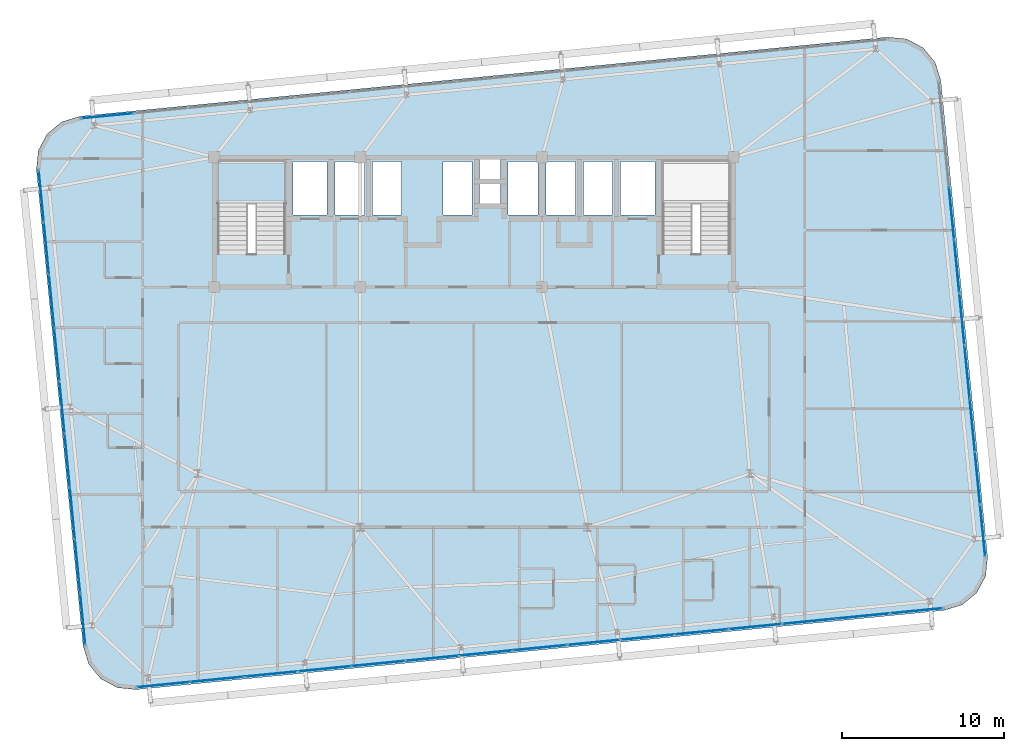
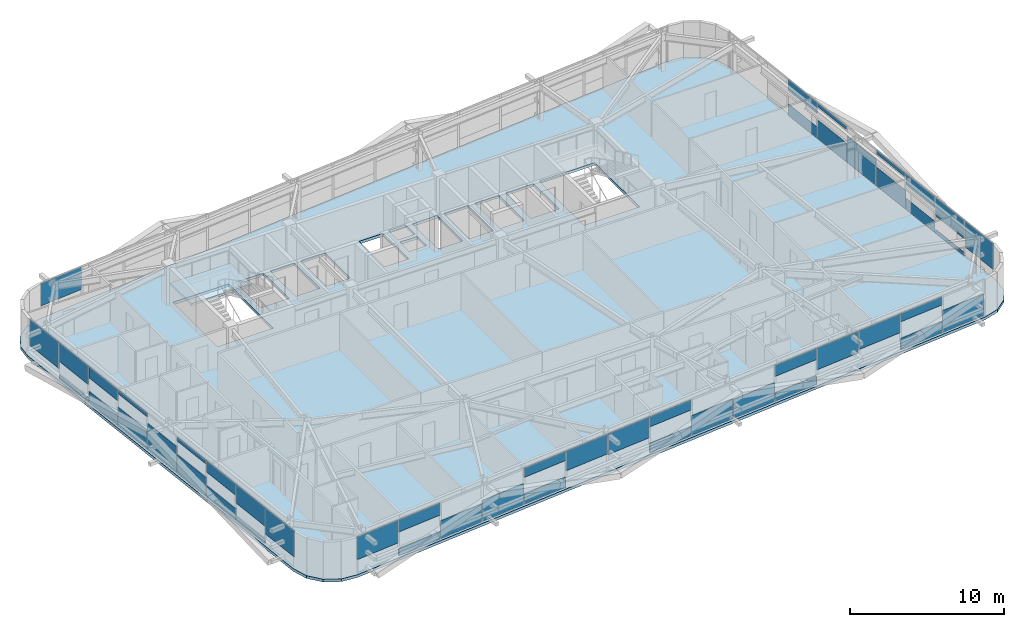
# One storey, part 36 of 53: 48 plates, 2 slabs, 5 elements without a shape of their own.
"""IFC4 building model written with IfcOpenShell, lengths in metres."""

from ifc_helpers import new_model, si_unit, direction, frame, origin, origin_2d, place, context, subcontext, project, spatial, polyline, rectangle, outline, extrude, source, transform, mapped, material, layer, layer_set, type_object, element, aggregate, save


model = new_model("IFC4")

# Units and contexts
model_context = context("Model", 3, precision=1e-05, world=origin(), true_north=direction((0.0, 1.0)))
body_context = subcontext(model_context, "Body", "Model", "MODEL_VIEW")
ifc_project = project(units=[si_unit("LENGTHUNIT", "METRE"), si_unit("AREAUNIT", "SQUARE_METRE"), si_unit("VOLUMEUNIT", "CUBIC_METRE"), si_unit("PLANEANGLEUNIT", "RADIAN"), si_unit("MASSUNIT", "GRAM", prefix="KILO")], contexts=[model_context])

# Site, building, storey
site_placement = place(None, origin())
site = spatial("IfcSite", under=ifc_project, at=site_placement, CompositionType="ELEMENT")
building_placement = place(site_placement, origin())
building = spatial("IfcBuilding", under=site, at=building_placement, Name="Taldren Reach Tower", CompositionType="ELEMENT")
storey_placement = place(building_placement, frame((0.0, 0.0, 68.25)))
storey = spatial("IfcBuildingStorey", under=building, at=storey_placement, Name="L20", CompositionType="ELEMENT", Elevation=68.25)

# Slab
ifc_material_1 = material(Name="Concrete N40 (40 MPa)", Category="concrete")
ifc_layer_1 = layer(ifc_material_1, 0.219970703125)
ifc_layer_set_1 = layer_set([ifc_layer_1], Name="Concrete N40 (40 MPa)")
slab_type_1 = type_object("IfcSlabType", Name="SL-FLR-220", PredefinedType="FLOOR", material=ifc_layer_set_1)
slab_1_placement = place(storey_placement, frame((0.0, 0.0, -0.219970703125)))
element("IfcSlab", 1, at=slab_1_placement, inside=storey, type_object=slab_type_1, Name="Suspended floor slab L20", PredefinedType="FLOOR", context=body_context, shape_type="SweptSolid", body=[
    extrude(outline(polyline([(63.962890625, 4.07421875), (65.0830078125, 4.41357421875), (65.98828125, 5.15576171875), (66.54052734375, 6.187744140625), (66.65576171875, 7.352783203125), (63.777099609375, 36.7119140625), (63.437744140625, 37.832275390625), (62.695556640625, 38.7373046875), (61.663330078125, 39.28955078125), (60.49853515625, 39.40478515625), (10.7373046875, 34.525634765625), (9.616943359375, 34.1865234375), (8.711669921875, 33.4443359375), (8.159423828125, 32.412109375), (8.044189453125, 31.247314453125), (10.923095703125, 1.88818359375), (11.26220703125, 0.767822265625), (12.00439453125, -0.137451171875), (13.03662109375, -0.689697265625), (14.201416015625, -0.804931640625), (63.962890625, 4.07421875)]), holes=[polyline([(19.219970703125, 26.050048828125), (23.3798828125, 26.050048828125), (23.3798828125, 31.820068359375), (19.219970703125, 31.820068359375), (19.219970703125, 26.050048828125)]), polyline([(46.6201171875, 26.050048828125), (50.780029296875, 26.050048828125), (50.780029296875, 31.820068359375), (46.6201171875, 31.820068359375), (46.6201171875, 26.050048828125)]), polyline([(23.85009765625, 28.449951171875), (25.949951171875, 28.449951171875), (25.949951171875, 31.75), (23.85009765625, 31.75), (23.85009765625, 28.449951171875)]), polyline([(44.050048828125, 28.449951171875), (46.14990234375, 28.449951171875), (46.14990234375, 31.75), (44.050048828125, 31.75), (44.050048828125, 28.449951171875)]), polyline([(26.449951171875, 28.449951171875), (28.25, 28.449951171875), (28.25, 31.75), (26.449951171875, 31.75), (26.449951171875, 28.449951171875)]), polyline([(28.75, 28.449951171875), (30.550048828125, 28.449951171875), (30.550048828125, 31.75), (28.75, 31.75), (28.75, 28.449951171875)]), polyline([(33.10009765625, 28.449951171875), (34.89990234375, 28.449951171875), (34.89990234375, 31.75), (33.10009765625, 31.75), (33.10009765625, 28.449951171875)]), polyline([(37.10009765625, 28.449951171875), (38.949951171875, 28.449951171875), (38.949951171875, 31.75), (37.10009765625, 31.75), (37.10009765625, 28.449951171875)]), polyline([(39.449951171875, 28.449951171875), (41.25, 28.449951171875), (41.25, 31.75), (39.449951171875, 31.75), (39.449951171875, 28.449951171875)]), polyline([(41.75, 28.449951171875), (43.550048828125, 28.449951171875), (43.550048828125, 31.75), (41.75, 31.75), (41.75, 28.449951171875)]), polyline([(35.35009765625, 30.64990234375), (36.64990234375, 30.64990234375), (36.64990234375, 31.85009765625), (35.35009765625, 31.85009765625), (35.35009765625, 30.64990234375)]), polyline([(35.35009765625, 29.14990234375), (36.64990234375, 29.14990234375), (36.64990234375, 30.35009765625), (35.35009765625, 30.35009765625), (35.35009765625, 29.14990234375)])]), origin(), (0.0, 0.0, 1.0), 0.219970703125),
])

# Stair, slab
ifc_material_2 = material(Name="Concrete S50 (50 MPa)", Category="concrete")
stair_type = type_object("IfcStairType", Name="ST-HT-315", PredefinedType="HALF_TURN_STAIR", material=ifc_material_2)
stair_placement = place(storey_placement, origin())
stair = element("IfcStair", 2, at=stair_placement, inside=storey, type_object=stair_type, Name="Fire-isolated exit stair ST1 L20", PredefinedType="HALF_TURN_STAIR")
ifc_layer_2 = layer(ifc_material_2, 0.179931640625)
ifc_layer_set_2 = layer_set([ifc_layer_2], Name="Concrete S50 (50 MPa)")
slab_type_2 = type_object("IfcSlabType", Name="SL-LAND-180", PredefinedType="LANDING", material=ifc_layer_set_2)
slab_2_placement = place(storey_placement, frame((0.0, 0.0, 1.39501953125)))
slab_2 = element("IfcSlab", 3, at=slab_2_placement, type_object=slab_type_2, Name="ST1 landing 1", PredefinedType="LANDING", context=body_context, shape_type="SweptSolid", body=[
    extrude(outline(polyline([(19.0400390625, 29.135009765625), (23.56005859375, 29.135009765625), (23.56005859375, 31.8701171875), (19.0400390625, 31.8701171875), (19.0400390625, 29.135009765625)])), origin(), (0.0, 0.0, 1.0), 0.179931640625),
])
aggregate(stair, [slab_2])

# Curtain wall, plates
ifc_material_3 = material(Name="Aluminium and Low-E Glass Unitised System", Category="aluminium")
ifc_layer_3 = layer(ifc_material_3, 0.159912109375)
ifc_layer_set_3 = layer_set([ifc_layer_3], Name="Aluminium and Low-E Glass Unitised System")
curtain_wall_type = type_object("IfcCurtainWallType", Name="CW-SYS-3", PredefinedType="NOTDEFINED", material=ifc_layer_set_3)
curtain_wall_1_placement = place(storey_placement, origin())
curtain_wall_1 = element("IfcCurtainWall", 4, at=curtain_wall_1_placement, inside=storey, type_object=curtain_wall_type, Name="Unitised curtain wall CW-L20-S", PredefinedType="NOTDEFINED")
ifc_material_4 = material(Name="Solar-Control Double Glazed IGU", Category="glass")
ifc_layer_4 = layer(ifc_material_4, 0.031982421875)
ifc_layer_set_4 = layer_set([ifc_layer_4], Name="Solar-Control Double Glazed IGU")
plate_type = type_object("IfcPlateType", Name="CW-PNL-IGU32", PredefinedType="CURTAIN_PANEL", material=ifc_layer_set_4)
shared_shape_1 = source(origin(), body_context, "Body", "SweptSolid", [
    extrude(rectangle(XDim=3.23583984375, YDim=0.031982421875, at=origin_2d()), origin(), (0.0, 0.0, 1.0), 1.72509765625),
])
plate_1_placement = place(storey_placement, frame((62.274169921875, 4.04931640625, 0.054931640625), z_axis=(0.0, 0.0, 1.0), x_axis=(0.995227390247, 0.097582999046, 0.0)))
plate_1 = element("IfcPlate", 5, at=plate_1_placement, type_object=plate_type, Name="CW-3 panel 15.1 part 1", PredefinedType="CURTAIN_PANEL", context=body_context, shape_type="MappedRepresentation", body=[
    mapped(shared_shape_1, transform((0.0, 0.0, 0.0), scale=1.0)),
])
shared_shape_2 = source(origin(), body_context, "Body", "SweptSolid", [
    extrude(rectangle(XDim=3.268310546875, YDim=0.031982421875, at=origin_2d()), origin(), (0.0, 0.0, 1.0), 0.88818359375),
])
plate_2_placement = place(storey_placement, frame((58.972900390625, 3.7255859375, 0.05517578125), z_axis=(0.0, 0.0, 1.0), x_axis=(0.995227390247, 0.097582999046, 0.0)))
plate_2 = element("IfcPlate", 6, at=plate_2_placement, type_object=plate_type, Name="CW-3 panel 14.1 part 1", PredefinedType="CURTAIN_PANEL", context=body_context, shape_type="MappedRepresentation", body=[
    mapped(shared_shape_2, transform((0.0, 0.0, 0.0), scale=1.0)),
])
shared_shape_3 = source(origin(), body_context, "Body", "SweptSolid", [
    extrude(rectangle(XDim=3.268310546875, YDim=0.031982421875, at=origin_2d()), origin(), (0.0, 0.0, 1.0), 0.626953125),
])
plate_3_placement = place(storey_placement, frame((58.972900390625, 3.7255859375, 2.248046875), z_axis=(0.0, 0.0, 1.0), x_axis=(0.995227390247, 0.097582999046, 0.0)))
plate_3 = element("IfcPlate", 7, at=plate_3_placement, type_object=plate_type, Name="CW-3 panel 14.1 part 2", PredefinedType="CURTAIN_PANEL", context=body_context, shape_type="MappedRepresentation", body=[
    mapped(shared_shape_3, transform((0.0, 0.0, 0.0), scale=1.0)),
])
shared_shape_4 = source(origin(), body_context, "Body", "SweptSolid", [
    extrude(rectangle(XDim=3.268310546875, YDim=0.031982421875, at=origin_2d()), origin(), (0.0, 0.0, 1.0), 1.4638671875),
])
plate_4_placement = place(storey_placement, frame((55.655517578125, 3.400390625, 1.4111328125), z_axis=(0.0, 0.0, 1.0), x_axis=(0.995227390247, 0.097582999046, 0.0)))
plate_4 = element("IfcPlate", 8, at=plate_4_placement, type_object=plate_type, Name="CW-3 panel 13.1 part 1", PredefinedType="CURTAIN_PANEL", context=body_context, shape_type="MappedRepresentation", body=[
    mapped(shared_shape_4, transform((0.0, 0.0, 0.0), scale=1.0)),
])
shared_shape_5 = source(origin(), body_context, "Body", "SweptSolid", [
    extrude(rectangle(XDim=3.268310546875, YDim=0.031982421875, at=origin_2d()), origin(), (0.0, 0.0, 1.0), 1.704833984375),
])
plate_5_placement = place(storey_placement, frame((52.338134765625, 3.0751953125, 1.17041015625), z_axis=(0.0, 0.0, 1.0), x_axis=(0.995227390247, 0.097582999046, 0.0)))
plate_5 = element("IfcPlate", 9, at=plate_5_placement, type_object=plate_type, Name="CW-3 panel 12.1 part 1", PredefinedType="CURTAIN_PANEL", context=body_context, shape_type="MappedRepresentation", body=[
    mapped(shared_shape_5, transform((0.0, 0.0, 0.0), scale=1.0)),
])
shared_shape_6 = source(origin(), body_context, "Body", "SweptSolid", [
    extrude(rectangle(XDim=3.268310546875, YDim=0.031982421875, at=origin_2d()), origin(), (0.0, 0.0, 1.0), 0.647216796875),
])
plate_6_placement = place(storey_placement, frame((49.020751953125, 2.749755859375, 0.05517578125), z_axis=(0.0, 0.0, 1.0), x_axis=(0.995227390247, 0.097582999046, 0.0)))
plate_6 = element("IfcPlate", 10, at=plate_6_placement, type_object=plate_type, Name="CW-3 panel 11.1 part 1", PredefinedType="CURTAIN_PANEL", context=body_context, shape_type="MappedRepresentation", body=[
    mapped(shared_shape_6, transform((0.0, 0.0, 0.0), scale=1.0)),
])
shared_shape_7 = source(origin(), body_context, "Body", "SweptSolid", [
    extrude(rectangle(XDim=3.268310546875, YDim=0.031982421875, at=origin_2d()), origin(), (0.0, 0.0, 1.0), 0.867919921875),
])
plate_7_placement = place(storey_placement, frame((49.020751953125, 2.749755859375, 2.0068359375), z_axis=(0.0, 0.0, 1.0), x_axis=(0.995227390247, 0.097582999046, 0.0)))
plate_7 = element("IfcPlate", 11, at=plate_7_placement, type_object=plate_type, Name="CW-3 panel 11.1 part 2", PredefinedType="CURTAIN_PANEL", context=body_context, shape_type="MappedRepresentation", body=[
    mapped(shared_shape_7, transform((0.0, 0.0, 0.0), scale=1.0)),
])
shared_shape_8 = source(origin(), body_context, "Body", "SweptSolid", [
    extrude(rectangle(XDim=3.268310546875, YDim=0.031982421875, at=origin_2d()), origin(), (0.0, 0.0, 1.0), 1.484130859375),
])
plate_8_placement = place(storey_placement, frame((45.703369140625, 2.424560546875, 0.05517578125), z_axis=(0.0, 0.0, 1.0), x_axis=(0.995227390247, 0.097582999046, 0.0)))
plate_8 = element("IfcPlate", 12, at=plate_8_placement, type_object=plate_type, Name="CW-3 panel 10.1 part 1", PredefinedType="CURTAIN_PANEL", context=body_context, shape_type="MappedRepresentation", body=[
    mapped(shared_shape_8, transform((0.0, 0.0, 0.0), scale=1.0)),
])
shared_shape_9 = source(origin(), body_context, "Body", "SweptSolid", [
    extrude(rectangle(XDim=3.268310546875, YDim=0.031982421875, at=origin_2d()), origin(), (0.0, 0.0, 1.0), 1.564453125),
])
plate_9_placement = place(storey_placement, frame((42.3857421875, 2.099365234375, 0.054931640625), z_axis=(0.0, 0.0, 1.0), x_axis=(0.995227390247, 0.097582999046, 0.0)))
plate_9 = element("IfcPlate", 13, at=plate_9_placement, type_object=plate_type, Name="CW-3 panel 9.1 part 1", PredefinedType="CURTAIN_PANEL", context=body_context, shape_type="MappedRepresentation", body=[
    mapped(shared_shape_9, transform((0.0, 0.0, 0.0), scale=1.0)),
])
shared_shape_10 = source(origin(), body_context, "Body", "SweptSolid", [
    extrude(rectangle(XDim=3.268310546875, YDim=0.031982421875, at=origin_2d()), origin(), (0.0, 0.0, 1.0), 0.7275390625),
])
plate_10_placement = place(storey_placement, frame((39.068359375, 1.77392578125, 0.054931640625), z_axis=(0.0, 0.0, 1.0), x_axis=(0.995227390247, 0.097582999046, 0.0)))
plate_10 = element("IfcPlate", 14, at=plate_10_placement, type_object=plate_type, Name="CW-3 panel 8.1 part 1", PredefinedType="CURTAIN_PANEL", context=body_context, shape_type="MappedRepresentation", body=[
    mapped(shared_shape_10, transform((0.0, 0.0, 0.0), scale=1.0)),
])
shared_shape_11 = source(origin(), body_context, "Body", "SweptSolid", [
    extrude(rectangle(XDim=3.268310546875, YDim=0.031982421875, at=origin_2d()), origin(), (0.0, 0.0, 1.0), 0.78759765625),
])
plate_11_placement = place(storey_placement, frame((39.068359375, 1.77392578125, 2.08740234375), z_axis=(0.0, 0.0, 1.0), x_axis=(0.995227390247, 0.097582999046, 0.0)))
plate_11 = element("IfcPlate", 15, at=plate_11_placement, type_object=plate_type, Name="CW-3 panel 8.1 part 2", PredefinedType="CURTAIN_PANEL", context=body_context, shape_type="MappedRepresentation", body=[
    mapped(shared_shape_11, transform((0.0, 0.0, 0.0), scale=1.0)),
])
shared_shape_12 = source(origin(), body_context, "Body", "SweptSolid", [
    extrude(rectangle(XDim=3.268310546875, YDim=0.031982421875, at=origin_2d()), origin(), (0.0, 0.0, 1.0), 1.62451171875),
])
plate_12_placement = place(storey_placement, frame((35.7509765625, 1.44873046875, 1.25048828125), z_axis=(0.0, 0.0, 1.0), x_axis=(0.995227390247, 0.097582999046, 0.0)))
plate_12 = element("IfcPlate", 16, at=plate_12_placement, type_object=plate_type, Name="CW-3 panel 7.1 part 1", PredefinedType="CURTAIN_PANEL", context=body_context, shape_type="MappedRepresentation", body=[
    mapped(shared_shape_12, transform((0.0, 0.0, 0.0), scale=1.0)),
])
shared_shape_13 = source(origin(), body_context, "Body", "SweptSolid", [
    extrude(rectangle(XDim=3.268310546875, YDim=0.031982421875, at=origin_2d()), origin(), (0.0, 0.0, 1.0), 1.544189453125),
])
plate_13_placement = place(storey_placement, frame((32.43359375, 1.12353515625, 1.3310546875), z_axis=(0.0, 0.0, 1.0), x_axis=(0.995227390247, 0.097582999046, 0.0)))
plate_13 = element("IfcPlate", 17, at=plate_13_placement, type_object=plate_type, Name="CW-3 panel 6.1 part 1", PredefinedType="CURTAIN_PANEL", context=body_context, shape_type="MappedRepresentation", body=[
    mapped(shared_shape_13, transform((0.0, 0.0, 0.0), scale=1.0)),
])
shared_shape_14 = source(origin(), body_context, "Body", "SweptSolid", [
    extrude(rectangle(XDim=3.268310546875, YDim=0.031982421875, at=origin_2d()), origin(), (0.0, 0.0, 1.0), 0.807861328125),
])
plate_14_placement = place(storey_placement, frame((29.1162109375, 0.798095703125, 0.05517578125), z_axis=(0.0, 0.0, 1.0), x_axis=(0.995227390247, 0.097582999046, 0.0)))
plate_14 = element("IfcPlate", 18, at=plate_14_placement, type_object=plate_type, Name="CW-3 panel 5.1 part 1", PredefinedType="CURTAIN_PANEL", context=body_context, shape_type="MappedRepresentation", body=[
    mapped(shared_shape_14, transform((0.0, 0.0, 0.0), scale=1.0)),
])
shared_shape_15 = source(origin(), body_context, "Body", "SweptSolid", [
    extrude(rectangle(XDim=3.268310546875, YDim=0.031982421875, at=origin_2d()), origin(), (0.0, 0.0, 1.0), 0.707275390625),
])
plate_15_placement = place(storey_placement, frame((29.1162109375, 0.798095703125, 2.16748046875), z_axis=(0.0, 0.0, 1.0), x_axis=(0.995227390247, 0.097582999046, 0.0)))
plate_15 = element("IfcPlate", 19, at=plate_15_placement, type_object=plate_type, Name="CW-3 panel 5.1 part 2", PredefinedType="CURTAIN_PANEL", context=body_context, shape_type="MappedRepresentation", body=[
    mapped(shared_shape_15, transform((0.0, 0.0, 0.0), scale=1.0)),
])
shared_shape_16 = source(origin(), body_context, "Body", "SweptSolid", [
    extrude(rectangle(XDim=3.268310546875, YDim=0.031982421875, at=origin_2d()), origin(), (0.0, 0.0, 1.0), 1.644775390625),
])
plate_16_placement = place(storey_placement, frame((25.798828125, 0.472900390625, 0.05517578125), z_axis=(0.0, 0.0, 1.0), x_axis=(0.995227390247, 0.097582999046, 0.0)))
plate_16 = element("IfcPlate", 20, at=plate_16_placement, type_object=plate_type, Name="CW-3 panel 4.1 part 1", PredefinedType="CURTAIN_PANEL", context=body_context, shape_type="MappedRepresentation", body=[
    mapped(shared_shape_16, transform((0.0, 0.0, 0.0), scale=1.0)),
])
shared_shape_17 = source(origin(), body_context, "Body", "SweptSolid", [
    extrude(rectangle(XDim=3.268310546875, YDim=0.031982421875, at=origin_2d()), origin(), (0.0, 0.0, 1.0), 1.40380859375),
])
plate_17_placement = place(storey_placement, frame((22.481201171875, 0.147705078125, 0.054931640625), z_axis=(0.0, 0.0, 1.0), x_axis=(0.995227390247, 0.097582999046, 0.0)))
plate_17 = element("IfcPlate", 21, at=plate_17_placement, type_object=plate_type, Name="CW-3 panel 3.1 part 1", PredefinedType="CURTAIN_PANEL", context=body_context, shape_type="MappedRepresentation", body=[
    mapped(shared_shape_17, transform((0.0, 0.0, 0.0), scale=1.0)),
])
shared_shape_18 = source(origin(), body_context, "Body", "SweptSolid", [
    extrude(rectangle(XDim=3.268310546875, YDim=0.031982421875, at=origin_2d()), origin(), (0.0, 0.0, 1.0), 0.56689453125),
])
plate_18_placement = place(storey_placement, frame((19.163818359375, -0.177734375, 0.054931640625), z_axis=(0.0, 0.0, 1.0), x_axis=(0.995227390247, 0.097582999046, 0.0)))
plate_18 = element("IfcPlate", 22, at=plate_18_placement, type_object=plate_type, Name="CW-3 panel 2.1 part 1", PredefinedType="CURTAIN_PANEL", context=body_context, shape_type="MappedRepresentation", body=[
    mapped(shared_shape_18, transform((0.0, 0.0, 0.0), scale=1.0)),
])
shared_shape_19 = source(origin(), body_context, "Body", "SweptSolid", [
    extrude(rectangle(XDim=3.268310546875, YDim=0.031982421875, at=origin_2d()), origin(), (0.0, 0.0, 1.0), 0.9482421875),
])
plate_19_placement = place(storey_placement, frame((19.163818359375, -0.177734375, 1.9267578125), z_axis=(0.0, 0.0, 1.0), x_axis=(0.995227390247, 0.097582999046, 0.0)))
plate_19 = element("IfcPlate", 23, at=plate_19_placement, type_object=plate_type, Name="CW-3 panel 2.1 part 2", PredefinedType="CURTAIN_PANEL", context=body_context, shape_type="MappedRepresentation", body=[
    mapped(shared_shape_19, transform((0.0, 0.0, 0.0), scale=1.0)),
])
shared_shape_20 = source(origin(), body_context, "Body", "SweptSolid", [
    extrude(rectangle(XDim=3.23583984375, YDim=0.031982421875, at=origin_2d()), origin(), (0.0, 0.0, 1.0), 1.78515625),
])
plate_20_placement = place(storey_placement, frame((15.862548828125, -0.501220703125, 1.08984375), z_axis=(0.0, 0.0, 1.0), x_axis=(0.995227390247, 0.097582999046, 0.0)))
plate_20 = element("IfcPlate", 24, at=plate_20_placement, type_object=plate_type, Name="CW-3 panel 1.1 part 1", PredefinedType="CURTAIN_PANEL", context=body_context, shape_type="MappedRepresentation", body=[
    mapped(shared_shape_20, transform((0.0, 0.0, 0.0), scale=1.0)),
])
aggregate(curtain_wall_1, [plate_20, plate_18, plate_19, plate_17, plate_16, plate_14, plate_15, plate_13, plate_12, plate_10, plate_11, plate_9, plate_8, plate_6, plate_7, plate_5, plate_4, plate_2, plate_3, plate_1])

# Curtain wall, plate
curtain_wall_2_placement = place(storey_placement, origin())
curtain_wall_2 = element("IfcCurtainWall", 25, at=curtain_wall_2_placement, inside=storey, type_object=curtain_wall_type, Name="Unitised curtain wall CW-L20-N", PredefinedType="NOTDEFINED")
plate_21_placement = place(storey_placement, frame((12.42578125, 34.550537109375, 1.08984375), z_axis=(0.0, 0.0, 1.0), x_axis=(-0.995227390247, -0.097582999046, 0.0)))
plate_21 = element("IfcPlate", 26, at=plate_21_placement, type_object=plate_type, Name="CW-3 panel 15.1 part 1", PredefinedType="CURTAIN_PANEL", context=body_context, shape_type="MappedRepresentation", body=[
    mapped(shared_shape_20, transform((0.0, 0.0, 0.0), scale=1.0)),
])
aggregate(curtain_wall_2, [plate_21])

# Curtain wall, plates
curtain_wall_3_placement = place(storey_placement, origin())
curtain_wall_3 = element("IfcCurtainWall", 27, at=curtain_wall_3_placement, inside=storey, type_object=curtain_wall_type, Name="Unitised curtain wall CW-L20-W", PredefinedType="NOTDEFINED")
shared_shape_21 = source(origin(), body_context, "Body", "SweptSolid", [
    extrude(rectangle(XDim=3.18017578125, YDim=0.031982421875, at=origin_2d()), origin(), (0.0, 0.0, 1.0), 2.049560546875),
])
plate_22_placement = place(storey_placement, frame((8.34521484375, 29.61376953125, 0.82568359375), z_axis=(0.0, 0.0, 1.0), x_axis=(0.09758274098, -0.99522741555, 0.0)))
plate_22 = element("IfcPlate", 28, at=plate_22_placement, type_object=plate_type, Name="CW-3 panel 1.1 part 1", PredefinedType="CURTAIN_PANEL", context=body_context, shape_type="MappedRepresentation", body=[
    mapped(shared_shape_21, transform((0.0, 0.0, 0.0), scale=1.0)),
])
plate_23_placement = place(storey_placement, frame((10.90087890625, 3.549072265625, 0.82568359375), z_axis=(0.0, 0.0, 1.0), x_axis=(0.09758274098, -0.99522741555, 0.0)))
plate_23 = element("IfcPlate", 29, at=plate_23_placement, type_object=plate_type, Name="CW-3 panel 9.1 part 1", PredefinedType="CURTAIN_PANEL", context=body_context, shape_type="MappedRepresentation", body=[
    mapped(shared_shape_21, transform((0.0, 0.0, 0.0), scale=1.0)),
])

# Curtain wall, plate
curtain_wall_4_placement = place(storey_placement, origin())
curtain_wall_4 = element("IfcCurtainWall", 30, at=curtain_wall_4_placement, inside=storey, type_object=curtain_wall_type, Name="Unitised curtain wall CW-L20-E", PredefinedType="NOTDEFINED")
plate_24_placement = place(storey_placement, frame((66.35498046875, 8.986328125, 0.82568359375), z_axis=(0.0, 0.0, 1.0), x_axis=(-0.09758274098, 0.99522741555, 0.0)))
plate_24 = element("IfcPlate", 31, at=plate_24_placement, type_object=plate_type, Name="CW-3 panel 1.1 part 1", PredefinedType="CURTAIN_PANEL", context=body_context, shape_type="MappedRepresentation", body=[
    mapped(shared_shape_21, transform((0.0, 0.0, 0.0), scale=1.0)),
])

# Plate
shared_shape_22 = source(origin(), body_context, "Body", "SweptSolid", [
    extrude(rectangle(XDim=3.212890625, YDim=0.031982421875, at=origin_2d()), origin(), (0.0, 0.0, 1.0), 0.3046875),
])
plate_25_placement = place(storey_placement, frame((8.663330078125, 26.36767578125, 0.054931640625), z_axis=(0.0, 0.0, 1.0), x_axis=(0.09758274098, -0.99522741555, 0.0)))
plate_25 = element("IfcPlate", 32, at=plate_25_placement, type_object=plate_type, Name="CW-3 panel 2.1 part 1", PredefinedType="CURTAIN_PANEL", context=body_context, shape_type="MappedRepresentation", body=[
    mapped(shared_shape_22, transform((0.0, 0.0, 0.0), scale=1.0)),
])

plate_26_placement = place(storey_placement, frame((10.58251953125, 6.794921875, 0.054931640625), z_axis=(0.0, 0.0, 1.0), x_axis=(0.09758274098, -0.99522741555, 0.0)))
plate_26 = element("IfcPlate", 33, at=plate_26_placement, type_object=plate_type, Name="CW-3 panel 8.1 part 1", PredefinedType="CURTAIN_PANEL", context=body_context, shape_type="MappedRepresentation", body=[
    mapped(shared_shape_22, transform((0.0, 0.0, 0.0), scale=1.0)),
])

plate_27_placement = place(storey_placement, frame((66.03662109375, 12.232177734375, 0.054931640625), z_axis=(0.0, 0.0, 1.0), x_axis=(-0.09758274098, 0.99522741555, 0.0)))
plate_27 = element("IfcPlate", 34, at=plate_27_placement, type_object=plate_type, Name="CW-3 panel 2.1 part 1", PredefinedType="CURTAIN_PANEL", context=body_context, shape_type="MappedRepresentation", body=[
    mapped(shared_shape_22, transform((0.0, 0.0, 0.0), scale=1.0)),
])

shared_shape_23 = source(origin(), body_context, "Body", "SweptSolid", [
    extrude(rectangle(XDim=3.212890625, YDim=0.031982421875, at=origin_2d()), origin(), (0.0, 0.0, 1.0), 1.461669921875),
])
plate_28_placement = place(storey_placement, frame((8.663330078125, 26.36767578125, 1.4130859375), z_axis=(0.0, 0.0, 1.0), x_axis=(0.09758274098, -0.99522741555, 0.0)))
plate_28 = element("IfcPlate", 35, at=plate_28_placement, type_object=plate_type, Name="CW-3 panel 2.1 part 2", PredefinedType="CURTAIN_PANEL", context=body_context, shape_type="MappedRepresentation", body=[
    mapped(shared_shape_23, transform((0.0, 0.0, 0.0), scale=1.0)),
])

plate_29_placement = place(storey_placement, frame((10.58251953125, 6.794921875, 1.4130859375), z_axis=(0.0, 0.0, 1.0), x_axis=(0.09758274098, -0.99522741555, 0.0)))
plate_29 = element("IfcPlate", 36, at=plate_29_placement, type_object=plate_type, Name="CW-3 panel 8.1 part 2", PredefinedType="CURTAIN_PANEL", context=body_context, shape_type="MappedRepresentation", body=[
    mapped(shared_shape_23, transform((0.0, 0.0, 0.0), scale=1.0)),
])

plate_30_placement = place(storey_placement, frame((66.03662109375, 12.232177734375, 1.4130859375), z_axis=(0.0, 0.0, 1.0), x_axis=(-0.09758274098, 0.99522741555, 0.0)))
plate_30 = element("IfcPlate", 37, at=plate_30_placement, type_object=plate_type, Name="CW-3 panel 2.1 part 2", PredefinedType="CURTAIN_PANEL", context=body_context, shape_type="MappedRepresentation", body=[
    mapped(shared_shape_23, transform((0.0, 0.0, 0.0), scale=1.0)),
])

shared_shape_24 = source(origin(), body_context, "Body", "SweptSolid", [
    extrude(rectangle(XDim=3.212890625, YDim=0.031982421875, at=origin_2d()), origin(), (0.0, 0.0, 1.0), 0.892578125),
])
plate_31_placement = place(storey_placement, frame((8.983154296875, 23.105712890625, 0.054931640625), z_axis=(0.0, 0.0, 1.0), x_axis=(0.09758274098, -0.99522741555, 0.0)))
plate_31 = element("IfcPlate", 38, at=plate_31_placement, type_object=plate_type, Name="CW-3 panel 3.1 part 1", PredefinedType="CURTAIN_PANEL", context=body_context, shape_type="MappedRepresentation", body=[
    mapped(shared_shape_24, transform((0.0, 0.0, 0.0), scale=1.0)),
])

plate_32_placement = place(storey_placement, frame((10.2626953125, 10.05712890625, 0.054931640625), z_axis=(0.0, 0.0, 1.0), x_axis=(0.09758274098, -0.99522741555, 0.0)))
plate_32 = element("IfcPlate", 39, at=plate_32_placement, type_object=plate_type, Name="CW-3 panel 7.1 part 1", PredefinedType="CURTAIN_PANEL", context=body_context, shape_type="MappedRepresentation", body=[
    mapped(shared_shape_24, transform((0.0, 0.0, 0.0), scale=1.0)),
])

plate_33_placement = place(storey_placement, frame((65.716796875, 15.494384765625, 0.054931640625), z_axis=(0.0, 0.0, 1.0), x_axis=(-0.09758274098, 0.99522741555, 0.0)))
plate_33 = element("IfcPlate", 40, at=plate_33_placement, type_object=plate_type, Name="CW-3 panel 3.1 part 1", PredefinedType="CURTAIN_PANEL", context=body_context, shape_type="MappedRepresentation", body=[
    mapped(shared_shape_24, transform((0.0, 0.0, 0.0), scale=1.0)),
])

plate_34_placement = place(storey_placement, frame((64.437255859375, 28.54296875, 0.054931640625), z_axis=(0.0, 0.0, 1.0), x_axis=(-0.09758274098, 0.99522741555, 0.0)))
plate_34 = element("IfcPlate", 41, at=plate_34_placement, type_object=plate_type, Name="CW-3 panel 7.1 part 1", PredefinedType="CURTAIN_PANEL", context=body_context, shape_type="MappedRepresentation", body=[
    mapped(shared_shape_24, transform((0.0, 0.0, 0.0), scale=1.0)),
])

shared_shape_25 = source(origin(), body_context, "Body", "SweptSolid", [
    extrude(rectangle(XDim=3.212890625, YDim=0.031982421875, at=origin_2d()), origin(), (0.0, 0.0, 1.0), 0.873779296875),
])
plate_35_placement = place(storey_placement, frame((8.983154296875, 23.105712890625, 2.0009765625), z_axis=(0.0, 0.0, 1.0), x_axis=(0.09758274098, -0.99522741555, 0.0)))
plate_35 = element("IfcPlate", 42, at=plate_35_placement, type_object=plate_type, Name="CW-3 panel 3.1 part 2", PredefinedType="CURTAIN_PANEL", context=body_context, shape_type="MappedRepresentation", body=[
    mapped(shared_shape_25, transform((0.0, 0.0, 0.0), scale=1.0)),
])

plate_36_placement = place(storey_placement, frame((10.2626953125, 10.05712890625, 2.0009765625), z_axis=(0.0, 0.0, 1.0), x_axis=(0.09758274098, -0.99522741555, 0.0)))
plate_36 = element("IfcPlate", 43, at=plate_36_placement, type_object=plate_type, Name="CW-3 panel 7.1 part 2", PredefinedType="CURTAIN_PANEL", context=body_context, shape_type="MappedRepresentation", body=[
    mapped(shared_shape_25, transform((0.0, 0.0, 0.0), scale=1.0)),
])

plate_37_placement = place(storey_placement, frame((65.716796875, 15.494384765625, 2.0009765625), z_axis=(0.0, 0.0, 1.0), x_axis=(-0.09758274098, 0.99522741555, 0.0)))
plate_37 = element("IfcPlate", 44, at=plate_37_placement, type_object=plate_type, Name="CW-3 panel 3.1 part 2", PredefinedType="CURTAIN_PANEL", context=body_context, shape_type="MappedRepresentation", body=[
    mapped(shared_shape_25, transform((0.0, 0.0, 0.0), scale=1.0)),
])

plate_38_placement = place(storey_placement, frame((64.437255859375, 28.54296875, 2.0009765625), z_axis=(0.0, 0.0, 1.0), x_axis=(-0.09758274098, 0.99522741555, 0.0)))
plate_38 = element("IfcPlate", 45, at=plate_38_placement, type_object=plate_type, Name="CW-3 panel 7.1 part 2", PredefinedType="CURTAIN_PANEL", context=body_context, shape_type="MappedRepresentation", body=[
    mapped(shared_shape_25, transform((0.0, 0.0, 0.0), scale=1.0)),
])

shared_shape_26 = source(origin(), body_context, "Body", "SweptSolid", [
    extrude(rectangle(XDim=3.212890625, YDim=0.031982421875, at=origin_2d()), origin(), (0.0, 0.0, 1.0), 1.48046875),
])
plate_39_placement = place(storey_placement, frame((9.30322265625, 19.843505859375, 0.054931640625), z_axis=(0.0, 0.0, 1.0), x_axis=(0.09758274098, -0.99522741555, 0.0)))
plate_39 = element("IfcPlate", 46, at=plate_39_placement, type_object=plate_type, Name="CW-3 panel 4.1 part 1", PredefinedType="CURTAIN_PANEL", context=body_context, shape_type="MappedRepresentation", body=[
    mapped(shared_shape_26, transform((0.0, 0.0, 0.0), scale=1.0)),
])

plate_40_placement = place(storey_placement, frame((9.94287109375, 13.319091796875, 0.054931640625), z_axis=(0.0, 0.0, 1.0), x_axis=(0.09758274098, -0.99522741555, 0.0)))
plate_40 = element("IfcPlate", 47, at=plate_40_placement, type_object=plate_type, Name="CW-3 panel 6.1 part 1", PredefinedType="CURTAIN_PANEL", context=body_context, shape_type="MappedRepresentation", body=[
    mapped(shared_shape_26, transform((0.0, 0.0, 0.0), scale=1.0)),
])

plate_41_placement = place(storey_placement, frame((65.39697265625, 18.756591796875, 0.054931640625), z_axis=(0.0, 0.0, 1.0), x_axis=(-0.09758274098, 0.99522741555, 0.0)))
plate_41 = element("IfcPlate", 48, at=plate_41_placement, type_object=plate_type, Name="CW-3 panel 4.1 part 1", PredefinedType="CURTAIN_PANEL", context=body_context, shape_type="MappedRepresentation", body=[
    mapped(shared_shape_26, transform((0.0, 0.0, 0.0), scale=1.0)),
])

plate_42_placement = place(storey_placement, frame((64.757080078125, 25.28076171875, 0.054931640625), z_axis=(0.0, 0.0, 1.0), x_axis=(-0.09758274098, 0.99522741555, 0.0)))
plate_42 = element("IfcPlate", 49, at=plate_42_placement, type_object=plate_type, Name="CW-3 panel 6.1 part 1", PredefinedType="CURTAIN_PANEL", context=body_context, shape_type="MappedRepresentation", body=[
    mapped(shared_shape_26, transform((0.0, 0.0, 0.0), scale=1.0)),
])

shared_shape_27 = source(origin(), body_context, "Body", "SweptSolid", [
    extrude(rectangle(XDim=3.212890625, YDim=0.031982421875, at=origin_2d()), origin(), (0.0, 0.0, 1.0), 0.2861328125),
])
plate_43_placement = place(storey_placement, frame((9.30322265625, 19.843505859375, 2.5888671875), z_axis=(0.0, 0.0, 1.0), x_axis=(0.09758274098, -0.99522741555, 0.0)))
plate_43 = element("IfcPlate", 50, at=plate_43_placement, type_object=plate_type, Name="CW-3 panel 4.1 part 2", PredefinedType="CURTAIN_PANEL", context=body_context, shape_type="MappedRepresentation", body=[
    mapped(shared_shape_27, transform((0.0, 0.0, 0.0), scale=1.0)),
])

plate_44_placement = place(storey_placement, frame((9.94287109375, 13.319091796875, 2.5888671875), z_axis=(0.0, 0.0, 1.0), x_axis=(0.09758274098, -0.99522741555, 0.0)))
plate_44 = element("IfcPlate", 51, at=plate_44_placement, type_object=plate_type, Name="CW-3 panel 6.1 part 2", PredefinedType="CURTAIN_PANEL", context=body_context, shape_type="MappedRepresentation", body=[
    mapped(shared_shape_27, transform((0.0, 0.0, 0.0), scale=1.0)),
])

plate_45_placement = place(storey_placement, frame((65.39697265625, 18.756591796875, 2.5888671875), z_axis=(0.0, 0.0, 1.0), x_axis=(-0.09758274098, 0.99522741555, 0.0)))
plate_45 = element("IfcPlate", 52, at=plate_45_placement, type_object=plate_type, Name="CW-3 panel 4.1 part 2", PredefinedType="CURTAIN_PANEL", context=body_context, shape_type="MappedRepresentation", body=[
    mapped(shared_shape_27, transform((0.0, 0.0, 0.0), scale=1.0)),
])

plate_46_placement = place(storey_placement, frame((64.757080078125, 25.28076171875, 2.5888671875), z_axis=(0.0, 0.0, 1.0), x_axis=(-0.09758274098, 0.99522741555, 0.0)))
plate_46 = element("IfcPlate", 53, at=plate_46_placement, type_object=plate_type, Name="CW-3 panel 6.1 part 2", PredefinedType="CURTAIN_PANEL", context=body_context, shape_type="MappedRepresentation", body=[
    mapped(shared_shape_27, transform((0.0, 0.0, 0.0), scale=1.0)),
])

shared_shape_28 = source(origin(), body_context, "Body", "SweptSolid", [
    extrude(rectangle(XDim=3.212890625, YDim=0.031982421875, at=origin_2d()), origin(), (0.0, 0.0, 1.0), 2.068359375),
])
plate_47_placement = place(storey_placement, frame((9.623046875, 16.581298828125, 0.054931640625), z_axis=(0.0, 0.0, 1.0), x_axis=(0.09758274098, -0.99522741555, 0.0)))
plate_47 = element("IfcPlate", 54, at=plate_47_placement, type_object=plate_type, Name="CW-3 panel 5.1 part 1", PredefinedType="CURTAIN_PANEL", context=body_context, shape_type="MappedRepresentation", body=[
    mapped(shared_shape_28, transform((0.0, 0.0, 0.0), scale=1.0)),
])

aggregate(curtain_wall_3, [plate_22, plate_25, plate_28, plate_31, plate_35, plate_39, plate_43, plate_47, plate_40, plate_44, plate_32, plate_36, plate_26, plate_29, plate_23])

plate_48_placement = place(storey_placement, frame((65.0771484375, 22.0185546875, 0.054931640625), z_axis=(0.0, 0.0, 1.0), x_axis=(-0.09758274098, 0.99522741555, 0.0)))
plate_48 = element("IfcPlate", 55, at=plate_48_placement, type_object=plate_type, Name="CW-3 panel 5.1 part 1", PredefinedType="CURTAIN_PANEL", context=body_context, shape_type="MappedRepresentation", body=[
    mapped(shared_shape_28, transform((0.0, 0.0, 0.0), scale=1.0)),
])

aggregate(curtain_wall_4, [plate_24, plate_27, plate_30, plate_33, plate_37, plate_41, plate_45, plate_48, plate_42, plate_46, plate_34, plate_38])

save(model, "model.ifc")
